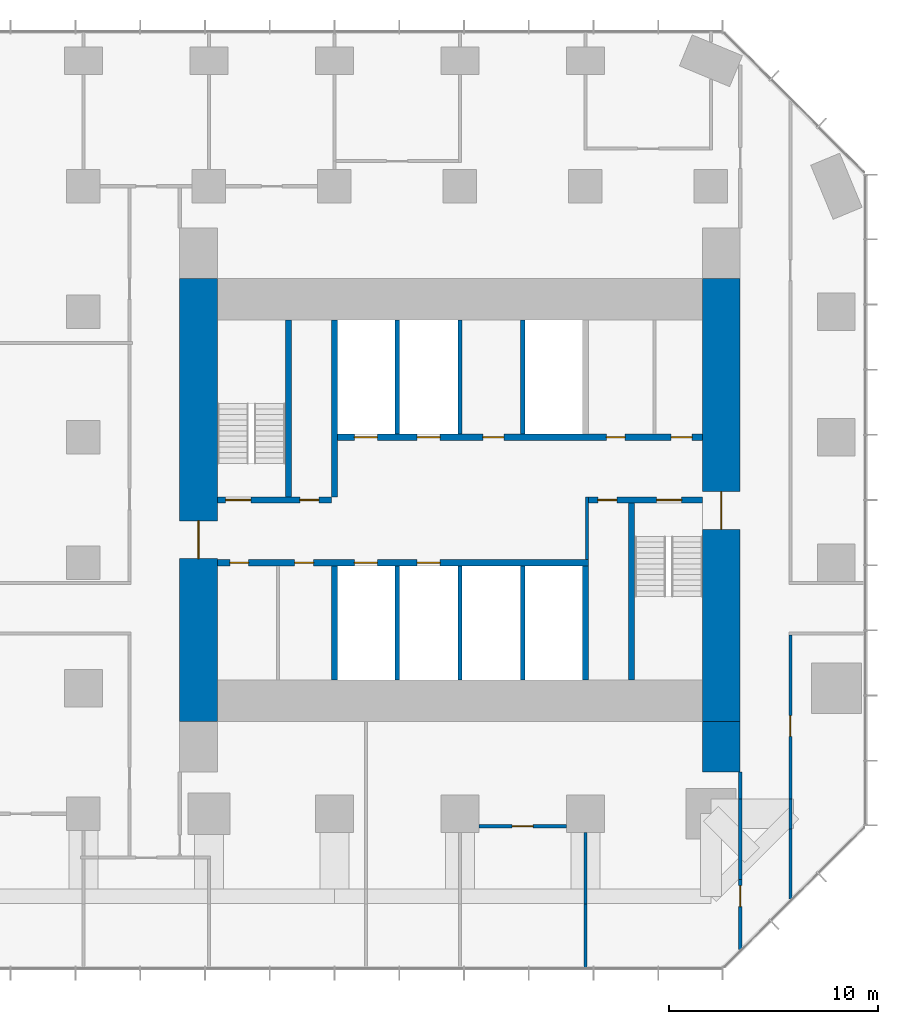
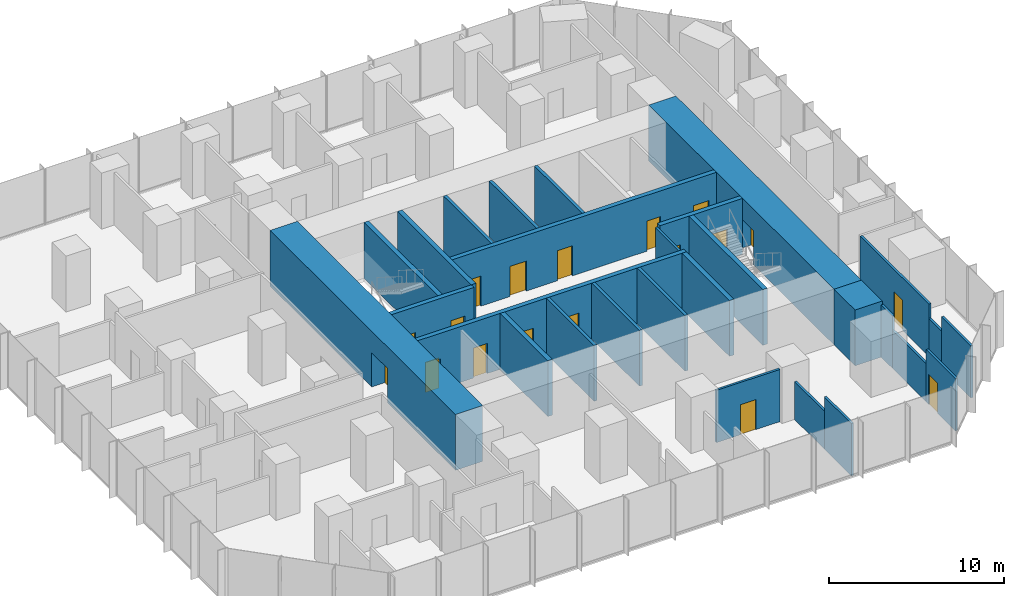
# One storey, part 9 of 11: 28 walls, 18 doors, 18 openings.
"""IFC4 building model written with IfcOpenShell, lengths in metres."""

from ifc_helpers import new_model, si_unit, direction, frame, frame_2d, origin, place, context, subcontext, project, spatial, rectangle, extrude, material, layer, layer_set, type_object, element, fill, save


model = new_model("IFC4")

# Units and contexts
model_context = context("Model", 3, precision=1e-05, world=origin(), true_north=direction((0.0, 1.0)))
body_context = subcontext(model_context, "Body", "Model", "MODEL_VIEW")
ifc_project = project(units=[si_unit("LENGTHUNIT", "METRE"), si_unit("AREAUNIT", "SQUARE_METRE"), si_unit("VOLUMEUNIT", "CUBIC_METRE"), si_unit("PLANEANGLEUNIT", "RADIAN"), si_unit("MASSUNIT", "GRAM", prefix="KILO")], contexts=[model_context])

# Site, building, storey
site_placement = place(None, origin())
site = spatial("IfcSite", under=ifc_project, at=site_placement, CompositionType="ELEMENT")
building_placement = place(site_placement, origin())
building = spatial("IfcBuilding", under=site, at=building_placement, Name="Highveld Stack Headquarters", CompositionType="ELEMENT")
storey_placement = place(building_placement, frame((0.0, 0.0, 121.10009765625)))
storey = spatial("IfcBuildingStorey", under=building, at=storey_placement, Name="L29", CompositionType="ELEMENT", Elevation=121.10009765625)

# Wall, opening, door
ifc_material_1 = material(Name="Concrete C60/75", Category="concrete")
ifc_layer_1 = layer(ifc_material_1, 1.800048828125)
ifc_layer_set_1 = layer_set([ifc_layer_1], Name="Concrete C60/75")
wall_type_1 = type_object("IfcWallType", Name="CORE WALL 1800 C60/75", PredefinedType="SHEAR", material=ifc_layer_set_1)
wall_1_placement = place(storey_placement, frame((-6.5, -7.60009765625, 0.0), z_axis=(0.0, 0.0, 1.0), x_axis=(0.0, 1.0, 0.0)))
wall_1 = element("IfcWall", 1, at=wall_1_placement, inside=storey, type_object=wall_type_1, Name="Core wall W L29", PredefinedType="SHEAR", context=body_context, shape_type="SweptSolid", body=[
    extrude(rectangle(XDim=21.2001953125, YDim=1.800048828125, at=frame_2d((10.60009765625, 0.0))), origin(), (0.0, 0.0, 1.0), 3.89990234375),
])
opening_1_placement = place(wall_1_placement, frame((7.800048828125, 0.0, 0.0)))
opening_1 = element("IfcOpeningElement", 2, at=opening_1_placement, cuts=wall_1, Name="Opening L29-01", PredefinedType="OPENING", context=body_context, shape_type="SweptSolid", body=[
    extrude(rectangle(XDim=1.800048828125, YDim=2.39990234375, at=frame_2d((0.89990234375, 1.199951171875))), frame((0.0, 0.909912109375, 0.0), z_axis=(0.0, -1.0, 0.0), x_axis=(1.0, 0.0, 0.0)), (0.0, 0.0, 1.0), 1.820068359375),
])
ifc_material_2 = material(Name="Steel fire door", Category="steel")
door_type_1 = type_object("IfcDoorType", Name="LOBBY FIRE DOOR D4 1800x2400", OperationType="DOUBLE_DOOR_SINGLE_SWING", PredefinedType="DOOR", material=ifc_material_2)
door_1_placement = place(opening_1_placement, origin())
door_1 = element("IfcDoor", 3, at=door_1_placement, inside=storey, type_object=door_type_1, Name="Core west door L29", OperationType="DOUBLE_DOOR_SINGLE_SWING", OverallHeight=2.39990234375, OverallWidth=1.800048828125, PredefinedType="DOOR", context=body_context, shape_type="SweptSolid", body=[
    extrude(rectangle(XDim=1.800048828125, YDim=2.39990234375, at=frame_2d((0.89990234375, 1.199951171875))), frame((0.0, 0.02490234375, 0.0), z_axis=(0.0, -1.0, 0.0), x_axis=(1.0, 0.0, 0.0)), (0.0, 0.0, 1.0), 0.050048828125),
])
fill(opening_1, door_1)

wall_2_placement = place(storey_placement, frame((18.5, -7.60009765625, 0.0), z_axis=(0.0, 0.0, 1.0), x_axis=(0.0, 1.0, 0.0)))
wall_2 = element("IfcWall", 4, at=wall_2_placement, inside=storey, type_object=wall_type_1, Name="Core wall E L29", PredefinedType="SHEAR", context=body_context, shape_type="SweptSolid", body=[
    extrude(rectangle(XDim=21.2001953125, YDim=1.800048828125, at=frame_2d((10.60009765625, 0.0))), origin(), (0.0, 0.0, 1.0), 3.89990234375),
])
opening_2_placement = place(wall_2_placement, frame((9.199951171875, 0.0, 0.0)))
opening_2 = element("IfcOpeningElement", 5, at=opening_2_placement, cuts=wall_2, Name="Opening L29-02", PredefinedType="OPENING", context=body_context, shape_type="SweptSolid", body=[
    extrude(rectangle(XDim=1.800048828125, YDim=2.39990234375, at=frame_2d((0.89990234375, 1.199951171875))), frame((0.0, 0.909912109375, 0.0), z_axis=(0.0, -1.0, 0.0), x_axis=(1.0, 0.0, 0.0)), (0.0, 0.0, 1.0), 1.820068359375),
])
door_2_placement = place(opening_2_placement, origin())
door_2 = element("IfcDoor", 6, at=door_2_placement, inside=storey, type_object=door_type_1, Name="Core east door L29", OperationType="DOUBLE_DOOR_SINGLE_SWING", OverallHeight=2.39990234375, OverallWidth=1.800048828125, PredefinedType="DOOR", context=body_context, shape_type="SweptSolid", body=[
    extrude(rectangle(XDim=1.800048828125, YDim=2.39990234375, at=frame_2d((0.89990234375, 1.199951171875))), frame((0.0, 0.02490234375, 0.0), z_axis=(0.0, -1.0, 0.0), x_axis=(1.0, 0.0, 0.0)), (0.0, 0.0, 1.0), 0.050048828125),
])
fill(opening_2, door_2)

# Wall, openings, doors
ifc_material_3 = material(Name="Concrete C60/75", Category="concrete")
ifc_layer_2 = layer(ifc_material_3, 0.300048828125)
ifc_layer_set_2 = layer_set([ifc_layer_2], Name="Concrete C60/75")
wall_type_2 = type_object("IfcWallType", Name="CORE WALL 300 C60/75", PredefinedType="SHEAR", material=ifc_layer_set_2)
wall_3_placement = place(storey_placement, frame((-5.60009765625, 0.0, 0.0), z_axis=(0.0, 0.0, 1.0), x_axis=(1.0, 0.0, 0.0)))
wall_3 = element("IfcWall", 7, at=wall_3_placement, inside=storey, type_object=wall_type_2, Name="Core wall I-Y0 L29", PredefinedType="SHEAR", context=body_context, shape_type="SweptSolid", body=[
    extrude(rectangle(XDim=17.75, YDim=0.300048828125, at=frame_2d((8.875, 0.0))), origin(), (0.0, 0.0, 1.0), 3.89990234375),
])
opening_3_placement = place(wall_3_placement, frame((0.60009765625, 0.0, 0.0)))
opening_3 = element("IfcOpeningElement", 8, at=opening_3_placement, cuts=wall_3, Name="Opening L29-07", PredefinedType="OPENING", context=body_context, shape_type="SweptSolid", body=[
    extrude(rectangle(XDim=0.89990234375, YDim=2.10009765625, at=frame_2d((0.449951171875, 1.050048828125))), frame((0.0, 0.159912109375, 0.0), z_axis=(0.0, -1.0, 0.0), x_axis=(1.0, 0.0, 0.0)), (0.0, 0.0, 1.0), 0.320068359375),
])
opening_4_placement = place(wall_3_placement, frame((3.699951171875, 0.0, 0.0)))
opening_4 = element("IfcOpeningElement", 9, at=opening_4_placement, cuts=wall_3, Name="Opening L29-08", PredefinedType="OPENING", context=body_context, shape_type="SweptSolid", body=[
    extrude(rectangle(XDim=0.89990234375, YDim=2.10009765625, at=frame_2d((0.449951171875, 1.050048828125))), frame((0.0, 0.159912109375, 0.0), z_axis=(0.0, -1.0, 0.0), x_axis=(1.0, 0.0, 0.0)), (0.0, 0.0, 1.0), 0.320068359375),
])
opening_5_placement = place(wall_3_placement, frame((6.550048828125, 0.0, 0.0)))
opening_5 = element("IfcOpeningElement", 10, at=opening_5_placement, cuts=wall_3, Name="Opening LD", PredefinedType="OPENING", context=body_context, shape_type="SweptSolid", body=[
    extrude(rectangle(XDim=1.10009765625, YDim=2.10009765625, at=frame_2d((0.550048828125, 1.050048828125))), frame((0.0, 0.159912109375, 0.0), z_axis=(0.0, -1.0, 0.0), x_axis=(1.0, 0.0, 0.0)), (0.0, 0.0, 1.0), 0.320068359375),
])
opening_6_placement = place(wall_3_placement, frame((9.550048828125, 0.0, 0.0)))
opening_6 = element("IfcOpeningElement", 11, at=opening_6_placement, cuts=wall_3, Name="Opening LD", PredefinedType="OPENING", context=body_context, shape_type="SweptSolid", body=[
    extrude(rectangle(XDim=1.10009765625, YDim=2.10009765625, at=frame_2d((0.550048828125, 1.050048828125))), frame((0.0, 0.159912109375, 0.0), z_axis=(0.0, -1.0, 0.0), x_axis=(1.0, 0.0, 0.0)), (0.0, 0.0, 1.0), 0.320068359375),
])
ifc_material_4 = material(Name="Stainless steel lift landing door", Category="steel")
door_type_2 = type_object("IfcDoorType", Name="LIFT LANDING DOOR LD 1100x2100", OperationType="DOUBLE_DOOR_SLIDING", PredefinedType="USERDEFINED", material=ifc_material_4)
door_3_placement = place(opening_5_placement, origin())
door_3 = element("IfcDoor", 12, at=door_3_placement, inside=storey, type_object=door_type_2, Name="Lift landing door B1 L29", ObjectType="LIFT LANDING DOOR", OperationType="DOUBLE_DOOR_SLIDING", OverallHeight=2.10009765625, OverallWidth=1.10009765625, PredefinedType="USERDEFINED", context=body_context, shape_type="SweptSolid", body=[
    extrude(rectangle(XDim=1.10009765625, YDim=2.10009765625, at=frame_2d((0.550048828125, 1.050048828125))), frame((0.0, 0.02490234375, 0.0), z_axis=(0.0, -1.0, 0.0), x_axis=(1.0, 0.0, 0.0)), (0.0, 0.0, 1.0), 0.050048828125),
])
fill(opening_5, door_3)
door_4_placement = place(opening_6_placement, origin())
door_4 = element("IfcDoor", 13, at=door_4_placement, inside=storey, type_object=door_type_2, Name="Lift landing door B2 L29", ObjectType="LIFT LANDING DOOR", OperationType="DOUBLE_DOOR_SLIDING", OverallHeight=2.10009765625, OverallWidth=1.10009765625, PredefinedType="USERDEFINED", context=body_context, shape_type="SweptSolid", body=[
    extrude(rectangle(XDim=1.10009765625, YDim=2.10009765625, at=frame_2d((0.550048828125, 1.050048828125))), frame((0.0, 0.02490234375, 0.0), z_axis=(0.0, -1.0, 0.0), x_axis=(1.0, 0.0, 0.0)), (0.0, 0.0, 1.0), 0.050048828125),
])
fill(opening_6, door_4)
ifc_material_5 = material(Name="Timber door, painted", Category="wood")
door_type_3 = type_object("IfcDoorType", Name="WC DOOR D1 900x2100", OperationType="SINGLE_SWING_LEFT", PredefinedType="DOOR", material=ifc_material_5)
door_5_placement = place(opening_3_placement, origin())
door_5 = element("IfcDoor", 14, at=door_5_placement, inside=storey, type_object=door_type_3, Name="Female WC door L29", OperationType="SINGLE_SWING_LEFT", OverallHeight=2.10009765625, OverallWidth=0.89990234375, PredefinedType="DOOR", context=body_context, shape_type="SweptSolid", body=[
    extrude(rectangle(XDim=0.89990234375, YDim=2.10009765625, at=frame_2d((0.449951171875, 1.050048828125))), frame((0.0, 0.02490234375, 0.0), z_axis=(0.0, -1.0, 0.0), x_axis=(1.0, 0.0, 0.0)), (0.0, 0.0, 1.0), 0.050048828125),
])
fill(opening_3, door_5)
door_6_placement = place(opening_4_placement, origin())
door_6 = element("IfcDoor", 15, at=door_6_placement, inside=storey, type_object=door_type_3, Name="Shower and changing room door L29", OperationType="SINGLE_SWING_LEFT", OverallHeight=2.10009765625, OverallWidth=0.89990234375, PredefinedType="DOOR", context=body_context, shape_type="SweptSolid", body=[
    extrude(rectangle(XDim=0.89990234375, YDim=2.10009765625, at=frame_2d((0.449951171875, 1.050048828125))), frame((0.0, 0.02490234375, 0.0), z_axis=(0.0, -1.0, 0.0), x_axis=(1.0, 0.0, 0.0)), (0.0, 0.0, 1.0), 0.050048828125),
])
fill(opening_4, door_6)

wall_4_placement = place(storey_placement, frame((-5.60009765625, 3.0, 0.0), z_axis=(0.0, 0.0, 1.0), x_axis=(1.0, 0.0, 0.0)))
wall_4 = element("IfcWall", 16, at=wall_4_placement, inside=storey, type_object=wall_type_2, Name="Core wall I-Y3W L29", PredefinedType="SHEAR", context=body_context, shape_type="SweptSolid", body=[
    extrude(rectangle(XDim=5.4501953125, YDim=0.300048828125, at=frame_2d((2.72509765625, 0.0))), origin(), (0.0, 0.0, 1.0), 3.89990234375),
])
opening_7_placement = place(wall_4_placement, frame((0.39990234375, 0.0, 0.0)))
opening_7 = element("IfcOpeningElement", 17, at=opening_7_placement, cuts=wall_4, Name="Opening L29-03", PredefinedType="OPENING", context=body_context, shape_type="SweptSolid", body=[
    extrude(rectangle(XDim=1.199951171875, YDim=2.10009765625, at=frame_2d((0.60009765625, 1.050048828125))), frame((0.0, 0.159912109375, 0.0), z_axis=(0.0, -1.0, 0.0), x_axis=(1.0, 0.0, 0.0)), (0.0, 0.0, 1.0), 0.320068359375),
])
opening_8_placement = place(wall_4_placement, frame((3.949951171875, 0.0, 0.0)))
opening_8 = element("IfcOpeningElement", 18, at=opening_8_placement, cuts=wall_4, Name="Opening L29-04", PredefinedType="OPENING", context=body_context, shape_type="SweptSolid", body=[
    extrude(rectangle(XDim=0.89990234375, YDim=2.10009765625, at=frame_2d((0.449951171875, 1.050048828125))), frame((0.0, 0.159912109375, 0.0), z_axis=(0.0, -1.0, 0.0), x_axis=(1.0, 0.0, 0.0)), (0.0, 0.0, 1.0), 0.320068359375),
])
ifc_material_6 = material(Name="Steel fire door", Category="steel")
door_type_4 = type_object("IfcDoorType", Name="RISER ACCESS DOOR D5 900x2100", OperationType="SINGLE_SWING_LEFT", PredefinedType="DOOR", material=ifc_material_6)
door_7_placement = place(opening_8_placement, origin())
door_7 = element("IfcDoor", 19, at=door_7_placement, inside=storey, type_object=door_type_4, Name="Riser R1 door L29", OperationType="SINGLE_SWING_RIGHT", OverallHeight=2.10009765625, OverallWidth=0.89990234375, PredefinedType="DOOR", context=body_context, shape_type="SweptSolid", body=[
    extrude(rectangle(XDim=0.89990234375, YDim=2.10009765625, at=frame_2d((0.449951171875, 1.050048828125))), frame((0.0, 0.02490234375, 0.0), z_axis=(0.0, -1.0, 0.0), x_axis=(1.0, 0.0, 0.0)), (0.0, 0.0, 1.0), 0.050048828125),
])
fill(opening_8, door_7)
ifc_material_7 = material(Name="Steel fire door", Category="steel")
door_type_5 = type_object("IfcDoorType", Name="STAIR FIRE DOOR D3 1200x2100", OperationType="SINGLE_SWING_LEFT", PredefinedType="DOOR", material=ifc_material_7)
door_8_placement = place(opening_7_placement, origin())
door_8 = element("IfcDoor", 20, at=door_8_placement, inside=storey, type_object=door_type_5, Name="Stair S1 door L29", OperationType="SINGLE_SWING_LEFT", OverallHeight=2.10009765625, OverallWidth=1.199951171875, PredefinedType="DOOR", context=body_context, shape_type="SweptSolid", body=[
    extrude(rectangle(XDim=1.199951171875, YDim=2.10009765625, at=frame_2d((0.60009765625, 1.050048828125))), frame((0.0, 0.02490234375, 0.0), z_axis=(0.0, -1.0, 0.0), x_axis=(1.0, 0.0, 0.0)), (0.0, 0.0, 1.0), 0.050048828125),
])
fill(opening_7, door_8)

wall_5_placement = place(storey_placement, frame((12.14990234375, 3.0, 0.0), z_axis=(0.0, 0.0, 1.0), x_axis=(1.0, 0.0, 0.0)))
wall_5 = element("IfcWall", 21, at=wall_5_placement, inside=storey, type_object=wall_type_2, Name="Core wall I-Y3E L29", PredefinedType="SHEAR", context=body_context, shape_type="SweptSolid", body=[
    extrude(rectangle(XDim=5.4501953125, YDim=0.300048828125, at=frame_2d((2.72509765625, 0.0))), origin(), (0.0, 0.0, 1.0), 3.89990234375),
])
opening_9_placement = place(wall_5_placement, frame((3.25, 0.0, 0.0)))
opening_9 = element("IfcOpeningElement", 22, at=opening_9_placement, cuts=wall_5, Name="Opening L29-05", PredefinedType="OPENING", context=body_context, shape_type="SweptSolid", body=[
    extrude(rectangle(XDim=1.199951171875, YDim=2.10009765625, at=frame_2d((0.60009765625, 1.050048828125))), frame((0.0, 0.159912109375, 0.0), z_axis=(0.0, -1.0, 0.0), x_axis=(1.0, 0.0, 0.0)), (0.0, 0.0, 1.0), 0.320068359375),
])
opening_10_placement = place(wall_5_placement, frame((0.449951171875, 0.0, 0.0)))
opening_10 = element("IfcOpeningElement", 23, at=opening_10_placement, cuts=wall_5, Name="Opening L29-06", PredefinedType="OPENING", context=body_context, shape_type="SweptSolid", body=[
    extrude(rectangle(XDim=0.89990234375, YDim=2.10009765625, at=frame_2d((0.449951171875, 1.050048828125))), frame((0.0, 0.159912109375, 0.0), z_axis=(0.0, -1.0, 0.0), x_axis=(1.0, 0.0, 0.0)), (0.0, 0.0, 1.0), 0.320068359375),
])
door_9_placement = place(opening_10_placement, origin())
door_9 = element("IfcDoor", 24, at=door_9_placement, inside=storey, type_object=door_type_4, Name="Riser R2 door L29", OperationType="SINGLE_SWING_LEFT", OverallHeight=2.10009765625, OverallWidth=0.89990234375, PredefinedType="DOOR", context=body_context, shape_type="SweptSolid", body=[
    extrude(rectangle(XDim=0.89990234375, YDim=2.10009765625, at=frame_2d((0.449951171875, 1.050048828125))), frame((0.0, 0.02490234375, 0.0), z_axis=(0.0, -1.0, 0.0), x_axis=(1.0, 0.0, 0.0)), (0.0, 0.0, 1.0), 0.050048828125),
])
fill(opening_10, door_9)
door_10_placement = place(opening_9_placement, origin())
door_10 = element("IfcDoor", 25, at=door_10_placement, inside=storey, type_object=door_type_5, Name="Stair S2 door L29", OperationType="SINGLE_SWING_RIGHT", OverallHeight=2.10009765625, OverallWidth=1.199951171875, PredefinedType="DOOR", context=body_context, shape_type="SweptSolid", body=[
    extrude(rectangle(XDim=1.199951171875, YDim=2.10009765625, at=frame_2d((0.60009765625, 1.050048828125))), frame((0.0, 0.02490234375, 0.0), z_axis=(0.0, -1.0, 0.0), x_axis=(1.0, 0.0, 0.0)), (0.0, 0.0, 1.0), 0.050048828125),
])
fill(opening_9, door_10)

wall_6_placement = place(storey_placement, frame((-0.14990234375, 6.0, 0.0), z_axis=(0.0, 0.0, 1.0), x_axis=(1.0, 0.0, 0.0)))
wall_6 = element("IfcWall", 26, at=wall_6_placement, inside=storey, type_object=wall_type_2, Name="Core wall I-Y6 L29", PredefinedType="SHEAR", context=body_context, shape_type="SweptSolid", body=[
    extrude(rectangle(XDim=17.75, YDim=0.300048828125, at=frame_2d((8.875, 0.0))), origin(), (0.0, 0.0, 1.0), 3.89990234375),
])
opening_11_placement = place(wall_6_placement, frame((13.14990234375, 0.0, 0.0)))
opening_11 = element("IfcOpeningElement", 27, at=opening_11_placement, cuts=wall_6, Name="Opening L29-09", PredefinedType="OPENING", context=body_context, shape_type="SweptSolid", body=[
    extrude(rectangle(XDim=0.89990234375, YDim=2.10009765625, at=frame_2d((0.449951171875, 1.050048828125))), frame((0.0, 0.159912109375, 0.0), z_axis=(0.0, -1.0, 0.0), x_axis=(1.0, 0.0, 0.0)), (0.0, 0.0, 1.0), 0.320068359375),
])
opening_12_placement = place(wall_6_placement, frame((16.25, 0.0, 0.0)))
opening_12 = element("IfcOpeningElement", 28, at=opening_12_placement, cuts=wall_6, Name="Opening L29-10", PredefinedType="OPENING", context=body_context, shape_type="SweptSolid", body=[
    extrude(rectangle(XDim=1.0, YDim=2.10009765625, at=frame_2d((0.5, 1.050048828125))), frame((0.0, 0.159912109375, 0.0), z_axis=(0.0, -1.0, 0.0), x_axis=(1.0, 0.0, 0.0)), (0.0, 0.0, 1.0), 0.320068359375),
])
opening_13_placement = place(wall_6_placement, frame((7.25, 0.0, 0.0)))
opening_13 = element("IfcOpeningElement", 29, at=opening_13_placement, cuts=wall_6, Name="Opening L29-11", PredefinedType="OPENING", context=body_context, shape_type="SweptSolid", body=[
    extrude(rectangle(XDim=1.0, YDim=2.10009765625, at=frame_2d((0.5, 1.050048828125))), frame((0.0, 0.159912109375, 0.0), z_axis=(0.0, -1.0, 0.0), x_axis=(1.0, 0.0, 0.0)), (0.0, 0.0, 1.0), 0.320068359375),
])
opening_14_placement = place(wall_6_placement, frame((1.10009765625, 0.0, 0.0)))
opening_14 = element("IfcOpeningElement", 30, at=opening_14_placement, cuts=wall_6, Name="Opening LD", PredefinedType="OPENING", context=body_context, shape_type="SweptSolid", body=[
    extrude(rectangle(XDim=1.10009765625, YDim=2.10009765625, at=frame_2d((0.550048828125, 1.050048828125))), frame((0.0, 0.159912109375, 0.0), z_axis=(0.0, -1.0, 0.0), x_axis=(1.0, 0.0, 0.0)), (0.0, 0.0, 1.0), 0.320068359375),
])
opening_15_placement = place(wall_6_placement, frame((4.10009765625, 0.0, 0.0)))
opening_15 = element("IfcOpeningElement", 31, at=opening_15_placement, cuts=wall_6, Name="Opening LD", PredefinedType="OPENING", context=body_context, shape_type="SweptSolid", body=[
    extrude(rectangle(XDim=1.10009765625, YDim=2.10009765625, at=frame_2d((0.550048828125, 1.050048828125))), frame((0.0, 0.159912109375, 0.0), z_axis=(0.0, -1.0, 0.0), x_axis=(1.0, 0.0, 0.0)), (0.0, 0.0, 1.0), 0.320068359375),
])
ifc_material_8 = material(Name="Timber door, painted", Category="wood")
door_type_6 = type_object("IfcDoorType", Name="ACCESSIBLE WC DOOR D2 1000x2100", OperationType="SINGLE_SWING_RIGHT", PredefinedType="DOOR", material=ifc_material_8)
door_11_placement = place(opening_12_placement, origin())
door_11 = element("IfcDoor", 32, at=door_11_placement, inside=storey, type_object=door_type_6, Name="Accessible WC door L29", OperationType="SINGLE_SWING_RIGHT", OverallHeight=2.10009765625, OverallWidth=1.0, PredefinedType="DOOR", context=body_context, shape_type="SweptSolid", body=[
    extrude(rectangle(XDim=1.0, YDim=2.10009765625, at=frame_2d((0.5, 1.050048828125))), frame((0.0, 0.02490234375, 0.0), z_axis=(0.0, -1.0, 0.0), x_axis=(1.0, 0.0, 0.0)), (0.0, 0.0, 1.0), 0.050048828125),
])
fill(opening_12, door_11)
ifc_material_9 = material(Name="Steel fire door", Category="steel")
door_type_7 = type_object("IfcDoorType", Name="CORE ROOM FIRE DOOR D14 1000x2100", OperationType="SINGLE_SWING_LEFT", PredefinedType="DOOR", material=ifc_material_9)
door_12_placement = place(opening_13_placement, origin())
door_12 = element("IfcDoor", 33, at=door_12_placement, inside=storey, type_object=door_type_7, Name="Capped A 1 door L29", OperationType="SINGLE_SWING_LEFT", OverallHeight=2.10009765625, OverallWidth=1.0, PredefinedType="DOOR", context=body_context, shape_type="SweptSolid", body=[
    extrude(rectangle(XDim=1.0, YDim=2.10009765625, at=frame_2d((0.5, 1.050048828125))), frame((0.0, 0.02490234375, 0.0), z_axis=(0.0, -1.0, 0.0), x_axis=(1.0, 0.0, 0.0)), (0.0, 0.0, 1.0), 0.050048828125),
])
fill(opening_13, door_12)
door_13_placement = place(opening_14_placement, origin())
door_13 = element("IfcDoor", 34, at=door_13_placement, inside=storey, type_object=door_type_2, Name="Lift landing door FF1 L29", ObjectType="LIFT LANDING DOOR", OperationType="DOUBLE_DOOR_SLIDING", OverallHeight=2.10009765625, OverallWidth=1.10009765625, PredefinedType="USERDEFINED", context=body_context, shape_type="SweptSolid", body=[
    extrude(rectangle(XDim=1.10009765625, YDim=2.10009765625, at=frame_2d((0.550048828125, 1.050048828125))), frame((0.0, 0.02490234375, 0.0), z_axis=(0.0, -1.0, 0.0), x_axis=(1.0, 0.0, 0.0)), (0.0, 0.0, 1.0), 0.050048828125),
])
fill(opening_14, door_13)
door_14_placement = place(opening_15_placement, origin())
door_14 = element("IfcDoor", 35, at=door_14_placement, inside=storey, type_object=door_type_2, Name="Lift landing door FF2 L29", ObjectType="LIFT LANDING DOOR", OperationType="DOUBLE_DOOR_SLIDING", OverallHeight=2.10009765625, OverallWidth=1.10009765625, PredefinedType="USERDEFINED", context=body_context, shape_type="SweptSolid", body=[
    extrude(rectangle(XDim=1.10009765625, YDim=2.10009765625, at=frame_2d((0.550048828125, 1.050048828125))), frame((0.0, 0.02490234375, 0.0), z_axis=(0.0, -1.0, 0.0), x_axis=(1.0, 0.0, 0.0)), (0.0, 0.0, 1.0), 0.050048828125),
])
fill(opening_15, door_14)
door_15_placement = place(opening_11_placement, origin())
door_15 = element("IfcDoor", 36, at=door_15_placement, inside=storey, type_object=door_type_3, Name="Male WC door L29", OperationType="SINGLE_SWING_RIGHT", OverallHeight=2.10009765625, OverallWidth=0.89990234375, PredefinedType="DOOR", context=body_context, shape_type="SweptSolid", body=[
    extrude(rectangle(XDim=0.89990234375, YDim=2.10009765625, at=frame_2d((0.449951171875, 1.050048828125))), frame((0.0, 0.02490234375, 0.0), z_axis=(0.0, -1.0, 0.0), x_axis=(1.0, 0.0, 0.0)), (0.0, 0.0, 1.0), 0.050048828125),
])
fill(opening_11, door_15)

# Walls
wall_7_placement = place(storey_placement, frame((0.0, -5.60009765625, 0.0), z_axis=(0.0, 0.0, 1.0), x_axis=(0.0, 1.0, 0.0)))
element("IfcWall", 37, at=wall_7_placement, inside=storey, type_object=wall_type_2, Name="Core wall I-X0S L29", PredefinedType="SHEAR", context=body_context, shape_type="SweptSolid", body=[
    extrude(rectangle(XDim=5.4501953125, YDim=0.300048828125, at=frame_2d((2.72509765625, 0.0))), origin(), (0.0, 0.0, 1.0), 3.89990234375),
])
wall_8_placement = place(storey_placement, frame((0.0, 3.14990234375, 0.0), z_axis=(0.0, 0.0, 1.0), x_axis=(0.0, 1.0, 0.0)))
element("IfcWall", 38, at=wall_8_placement, inside=storey, type_object=wall_type_2, Name="Core wall I-X0N L29", PredefinedType="SHEAR", context=body_context, shape_type="SweptSolid", body=[
    extrude(rectangle(XDim=8.4501953125, YDim=0.300048828125, at=frame_2d((4.22509765625, 0.0))), origin(), (0.0, 0.0, 1.0), 3.89990234375),
])
wall_9_placement = place(storey_placement, frame((12.0, -5.60009765625, 0.0), z_axis=(0.0, 0.0, 1.0), x_axis=(0.0, 1.0, 0.0)))
element("IfcWall", 39, at=wall_9_placement, inside=storey, type_object=wall_type_2, Name="Core wall I-X12S L29", PredefinedType="SHEAR", context=body_context, shape_type="SweptSolid", body=[
    extrude(rectangle(XDim=5.4501953125, YDim=0.300048828125, at=frame_2d((2.72509765625, 0.0))), origin(), (0.0, 0.0, 1.0), 3.89990234375),
])
for number, where, z_axis, x_axis, name in (
    (40, (-2.199951171875, 3.14990234375, 0.0), (0.0, 0.0, 1.0), (0.0, 1.0, 0.0), "Core wall I-RW L29"),
    (41, (14.199951171875, -5.60009765625, 0.0), (0.0, 0.0, 1.0), (0.0, 1.0, 0.0), "Core wall I-RE L29"),
):
    element("IfcWall", number, at=place(storey_placement, frame(where, z_axis=z_axis, x_axis=x_axis)), inside=storey, type_object=wall_type_2, Name=name, PredefinedType="SHEAR", context=body_context, shape_type="SweptSolid", body=[
        extrude(rectangle(XDim=8.4501953125, YDim=0.300048828125, at=frame_2d((4.22509765625, 0.0))), origin(), (0.0, 0.0, 1.0), 3.89990234375),
    ])
ifc_material_10 = material(Name="Concrete C60/75", Category="concrete")
ifc_layer_3 = layer(ifc_material_10, 1.800048828125)
ifc_layer_set_3 = layer_set([ifc_layer_3], Name="Concrete C60/75")
wall_type_3 = type_object("IfcWallType", Name="CORE WING WALL 1800 C60/75", PredefinedType="SHEAR", material=ifc_layer_set_3)
wall_10_placement = place(storey_placement, frame((18.5, -10.0, 0.0), z_axis=(0.0, 0.0, 1.0), x_axis=(0.0, 1.0, 0.0)))
element("IfcWall", 42, at=wall_10_placement, inside=storey, type_object=wall_type_3, Name="Core wing wall ES L29", PredefinedType="SHEAR", context=body_context, shape_type="SweptSolid", body=[
    extrude(rectangle(XDim=2.39990234375, YDim=1.800048828125, at=frame_2d((1.199951171875, 0.0))), origin(), (0.0, 0.0, 1.0), 3.89990234375),
])
ifc_material_11 = material(Name="Concrete blockwork, plastered", Category="masonry")
ifc_layer_4 = layer(ifc_material_11, 0.14990234375)
ifc_layer_set_4 = layer_set([ifc_layer_4], Name="Concrete blockwork, plastered")
wall_type_4 = type_object("IfcWallType", Name="FIRE PARTITION 150 BLOCKWORK", PredefinedType="PARTITIONING", material=ifc_layer_set_4)
wall_11_placement = place(storey_placement, frame((12.074951171875, 0.14990234375, 0.0), z_axis=(0.0, 0.0, 1.0), x_axis=(0.0, 1.0, 0.0)))
element("IfcWall", 43, at=wall_11_placement, inside=storey, type_object=wall_type_4, Name="Riser R2 enclosure L29", PredefinedType="PARTITIONING", context=body_context, shape_type="SweptSolid", body=[
    extrude(rectangle(XDim=3.0, YDim=0.14990234375, at=frame_2d((1.5, 0.0))), origin(), (0.0, 0.0, 1.0), 3.64990234375),
])

# Wall, opening, door
ifc_material_12 = material(Name="Laminated glass in aluminium frame", Category="aluminium")
ifc_layer_5 = layer(ifc_material_12, 0.14990234375)
ifc_layer_set_5 = layer_set([ifc_layer_5], Name="Laminated glass in aluminium frame")
wall_type_5 = type_object("IfcWallType", Name="GLAZED PARTITION 150", PredefinedType="PARTITIONING", material=ifc_layer_set_5)
wall_12_placement = place(storey_placement, frame((6.89990234375, -12.60009765625, 0.0), z_axis=(0.0, 0.0, 1.0), x_axis=(1.0, 0.0, 0.0)))
wall_12 = element("IfcWall", 44, at=wall_12_placement, inside=storey, type_object=wall_type_5, Name="Glazed partition Video conference room L29", PredefinedType="PARTITIONING", context=body_context, shape_type="SweptSolid", body=[
    extrude(rectangle(XDim=4.2001953125, YDim=0.14990234375, at=frame_2d((2.10009765625, 0.0))), origin(), (0.0, 0.0, 1.0), 3.64990234375),
])
opening_16_placement = place(wall_12_placement, frame((1.60009765625, 0.0, 0.0)))
opening_16 = element("IfcOpeningElement", 45, at=opening_16_placement, cuts=wall_12, Name="Opening L29-14", PredefinedType="OPENING", context=body_context, shape_type="SweptSolid", body=[
    extrude(rectangle(XDim=1.0, YDim=2.10009765625, at=frame_2d((0.5, 1.050048828125))), frame((0.0, 0.0849609375, 0.0), z_axis=(0.0, -1.0, 0.0), x_axis=(1.0, 0.0, 0.0)), (0.0, 0.0, 1.0), 0.169921875),
])
ifc_material_13 = material(Name="Timber door, oiled ash", Category="wood")
door_type_8 = type_object("IfcDoorType", Name="ROOM DOOR D6 1000x2100", OperationType="SINGLE_SWING_LEFT", PredefinedType="DOOR", material=ifc_material_13)
door_16_placement = place(opening_16_placement, origin())
door_16 = element("IfcDoor", 46, at=door_16_placement, inside=storey, type_object=door_type_8, Name="Video conference room door 1 L29", OperationType="SINGLE_SWING_LEFT", OverallHeight=2.10009765625, OverallWidth=1.0, PredefinedType="DOOR", context=body_context, shape_type="SweptSolid", body=[
    extrude(rectangle(XDim=1.0, YDim=2.10009765625, at=frame_2d((0.5, 1.050048828125))), frame((0.0, 0.02490234375, 0.0), z_axis=(0.0, -1.0, 0.0), x_axis=(1.0, 0.0, 0.0)), (0.0, 0.0, 1.0), 0.050048828125),
])
fill(opening_16, door_16)

# Walls
ifc_material_14 = material(Name="Concrete blockwork, fair-faced", Category="masonry")
ifc_layer_6 = layer(ifc_material_14, 0.199951171875)
ifc_layer_set_6 = layer_set([ifc_layer_6], Name="Concrete blockwork, fair-faced")
wall_type_6 = type_object("IfcWallType", Name="LIFT SHAFT ENCLOSURE WALL 200 BLOCKWORK", PredefinedType="SOLIDWALL", material=ifc_layer_set_6)
for number, where, z_axis, x_axis, name in (
    (47, (3.0, 6.14990234375, 0.0), (0.0, 0.0, 1.0), (0.0, 1.0, 0.0), "Lift shaft wall L29"),
    (48, (6.0, 6.14990234375, 0.0), (0.0, 0.0, 1.0), (0.0, 1.0, 0.0), "Lift shaft wall L29"),
    (49, (9.0, 6.14990234375, 0.0), (0.0, 0.0, 1.0), (0.0, 1.0, 0.0), "Lift shaft wall L29"),
    (50, (3.0, -5.60009765625, 0.0), (0.0, 0.0, 1.0), (0.0, 1.0, 0.0), "Lift shaft wall L29"),
    (51, (6.0, -5.60009765625, 0.0), (0.0, 0.0, 1.0), (0.0, 1.0, 0.0), "Lift shaft wall L29"),
    (52, (9.0, -5.60009765625, 0.0), (0.0, 0.0, 1.0), (0.0, 1.0, 0.0), "Lift shaft wall L29"),
):
    element("IfcWall", number, at=place(storey_placement, frame(where, z_axis=z_axis, x_axis=x_axis)), inside=storey, type_object=wall_type_6, Name=name, PredefinedType="SOLIDWALL", context=body_context, shape_type="SweptSolid", body=[
        extrude(rectangle(XDim=5.4501953125, YDim=0.199951171875, at=frame_2d((2.72509765625, 0.0))), origin(), (0.0, 0.0, 1.0), 3.89990234375),
    ])
ifc_material_15 = material(Name="Gypsum plasterboard on steel studs", Category="steel")
ifc_layer_7 = layer(ifc_material_15, 0.14990234375)
ifc_layer_set_7 = layer_set([ifc_layer_7], Name="Gypsum plasterboard on steel studs")
wall_type_7 = type_object("IfcWallType", Name="PARTITION 150 PLASTERBOARD", PredefinedType="PARTITIONING", material=ifc_layer_set_7)
wall_13_placement = place(storey_placement, frame((12.0, -19.39990234375, 0.0), z_axis=(0.0, 0.0, 1.0), x_axis=(0.0, 1.0, 0.0)))
element("IfcWall", 53, at=wall_13_placement, inside=storey, type_object=wall_type_7, Name="Partition Video conference room L29", PredefinedType="PARTITIONING", context=body_context, shape_type="SweptSolid", body=[
    extrude(rectangle(XDim=3.08984375, YDim=0.14990234375, at=frame_2d((1.544921875, 0.0))), origin(), (0.0, 0.0, 1.0), 3.64990234375),
])
wall_14_placement = place(storey_placement, frame((12.0, -16.31005859375, 0.0), z_axis=(0.0, 0.0, 1.0), x_axis=(0.0, 1.0, 0.0)))
element("IfcWall", 54, at=wall_14_placement, inside=storey, type_object=wall_type_7, Name="Partition Video conference room L29", PredefinedType="PARTITIONING", context=body_context, shape_type="SweptSolid", body=[
    extrude(rectangle(XDim=3.41015625, YDim=0.14990234375, at=frame_2d((1.705078125, 0.0))), origin(), (0.0, 0.0, 1.0), 2.64990234375),
])

# Wall, opening, door
wall_15_placement = place(storey_placement, frame((19.39990234375, -18.489013671875, 0.0), z_axis=(0.0, 0.0, 1.0), x_axis=(0.0, 1.0, 0.0)))
wall_15 = element("IfcWall", 55, at=wall_15_placement, inside=storey, type_object=wall_type_7, Name="Partition office neighbourhood L29", PredefinedType="PARTITIONING", context=body_context, shape_type="SweptSolid", body=[
    extrude(rectangle(XDim=3.34912109375, YDim=0.14990234375, at=frame_2d((1.674560546875, 0.0))), origin(), (0.0, 0.0, 1.0), 3.64990234375),
])
opening_17_placement = place(wall_15_placement, frame((2.049072265625, 0.0, 0.0)))
opening_17 = element("IfcOpeningElement", 56, at=opening_17_placement, cuts=wall_15, Name="Opening L29-23", PredefinedType="OPENING", context=body_context, shape_type="SweptSolid", body=[
    extrude(rectangle(XDim=1.0, YDim=2.10009765625, at=frame_2d((0.5, 1.050048828125))), frame((0.0, 0.0849609375, 0.0), z_axis=(0.0, -1.0, 0.0), x_axis=(1.0, 0.0, 0.0)), (0.0, 0.0, 1.0), 0.169921875),
])
door_17_placement = place(opening_17_placement, origin())
door_17 = element("IfcDoor", 57, at=door_17_placement, inside=storey, type_object=door_type_8, Name="Office neighbourhood door L29", OperationType="SINGLE_SWING_RIGHT", OverallHeight=2.10009765625, OverallWidth=1.0, PredefinedType="DOOR", context=body_context, shape_type="SweptSolid", body=[
    extrude(rectangle(XDim=1.0, YDim=2.10009765625, at=frame_2d((0.5, 1.050048828125))), frame((0.0, 0.02490234375, 0.0), z_axis=(0.0, -1.0, 0.0), x_axis=(1.0, 0.0, 0.0)), (0.0, 0.0, 1.0), 0.050048828125),
])
fill(opening_17, door_17)

# Walls
wall_16_placement = place(storey_placement, frame((19.39990234375, -15.139892578125, 0.0), z_axis=(0.0, 0.0, 1.0), x_axis=(0.0, 1.0, 0.0)))
element("IfcWall", 58, at=wall_16_placement, inside=storey, type_object=wall_type_7, Name="Partition office neighbourhood L29", PredefinedType="PARTITIONING", context=body_context, shape_type="SweptSolid", body=[
    extrude(rectangle(XDim=3.849853515625, YDim=0.14990234375, at=frame_2d((1.9248046875, 0.0))), origin(), (0.0, 0.0, 1.0), 2.64990234375),
])
wall_17_placement = place(storey_placement, frame((19.39990234375, -11.2900390625, 0.0), z_axis=(0.0, 0.0, 1.0), x_axis=(0.0, 1.0, 0.0)))
element("IfcWall", 59, at=wall_17_placement, inside=storey, type_object=wall_type_7, Name="Partition office neighbourhood L29", PredefinedType="PARTITIONING", context=body_context, shape_type="SweptSolid", body=[
    extrude(rectangle(XDim=1.2900390625, YDim=0.14990234375, at=frame_2d((0.64501953125, 0.0))), origin(), (0.0, 0.0, 1.0), 3.64990234375),
])
wall_18_placement = place(storey_placement, frame((21.800048828125, -16.089111328125, 0.0), z_axis=(0.0, 0.0, 1.0), x_axis=(0.0, 1.0, 0.0)))
element("IfcWall", 60, at=wall_18_placement, inside=storey, type_object=wall_type_7, Name="Partition office neighbourhood L29", PredefinedType="PARTITIONING", context=body_context, shape_type="SweptSolid", body=[
    extrude(rectangle(XDim=3.34912109375, YDim=0.14990234375, at=frame_2d((1.674560546875, 0.0))), origin(), (0.0, 0.0, 1.0), 3.64990234375),
])
wall_19_placement = place(storey_placement, frame((21.800048828125, -12.739990234375, 0.0), z_axis=(0.0, 0.0, 1.0), x_axis=(0.0, 1.0, 0.0)))
element("IfcWall", 61, at=wall_19_placement, inside=storey, type_object=wall_type_7, Name="Partition office neighbourhood L29", PredefinedType="PARTITIONING", context=body_context, shape_type="SweptSolid", body=[
    extrude(rectangle(XDim=1.449951171875, YDim=0.14990234375, at=frame_2d((0.72509765625, 0.0))), origin(), (0.0, 0.0, 1.0), 2.64990234375),
])

# Wall, opening, door
wall_20_placement = place(storey_placement, frame((21.800048828125, -11.2900390625, 0.0), z_axis=(0.0, 0.0, 1.0), x_axis=(0.0, 1.0, 0.0)))
wall_20 = element("IfcWall", 62, at=wall_20_placement, inside=storey, type_object=wall_type_7, Name="Partition office neighbourhood L29", PredefinedType="PARTITIONING", context=body_context, shape_type="SweptSolid", body=[
    extrude(rectangle(XDim=7.840087890625, YDim=0.14990234375, at=frame_2d((3.919921875, 0.0))), origin(), (0.0, 0.0, 1.0), 3.64990234375),
])
opening_18_placement = place(wall_20_placement, frame((2.98291015625, 0.0, 0.0)))
opening_18 = element("IfcOpeningElement", 63, at=opening_18_placement, cuts=wall_20, Name="Opening L29-25", PredefinedType="OPENING", context=body_context, shape_type="SweptSolid", body=[
    extrude(rectangle(XDim=1.0, YDim=2.10009765625, at=frame_2d((0.5, 1.050048828125))), frame((0.0, 0.0849609375, 0.0), z_axis=(0.0, -1.0, 0.0), x_axis=(1.0, 0.0, 0.0)), (0.0, 0.0, 1.0), 0.169921875),
])
door_18_placement = place(opening_18_placement, origin())
door_18 = element("IfcDoor", 64, at=door_18_placement, inside=storey, type_object=door_type_8, Name="Office neighbourhood door L29", OperationType="SINGLE_SWING_LEFT", OverallHeight=2.10009765625, OverallWidth=1.0, PredefinedType="DOOR", context=body_context, shape_type="SweptSolid", body=[
    extrude(rectangle(XDim=1.0, YDim=2.10009765625, at=frame_2d((0.5, 1.050048828125))), frame((0.0, 0.02490234375, 0.0), z_axis=(0.0, -1.0, 0.0), x_axis=(1.0, 0.0, 0.0)), (0.0, 0.0, 1.0), 0.050048828125),
])
fill(opening_18, door_18)

save(model, "model.ifc")
